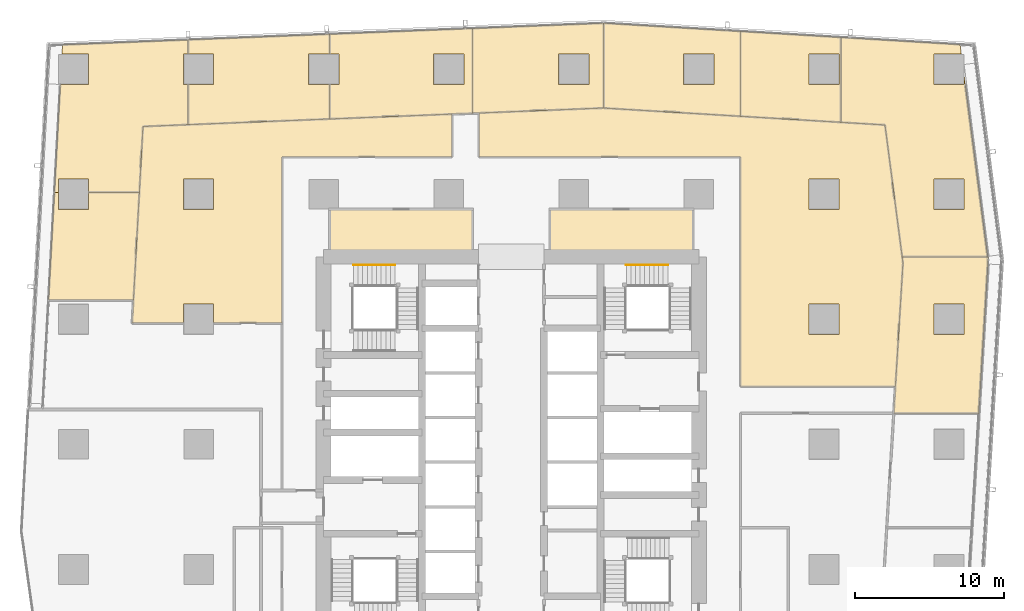
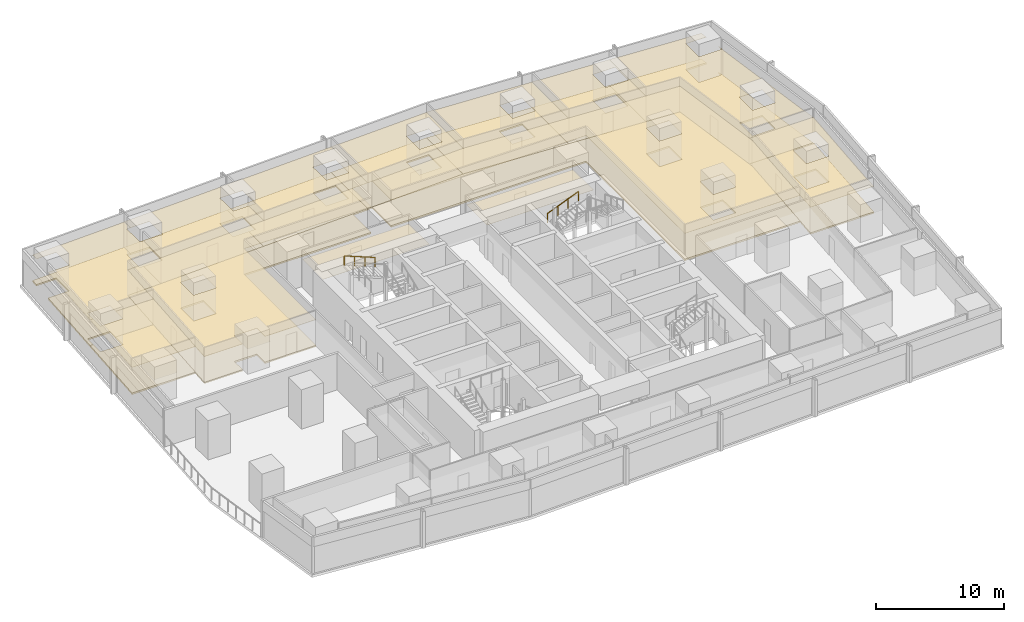
# One storey, part 36 of 36: 24 coverings, 2 railings.
"""IFC4 building model written with IfcOpenShell, lengths in metres."""

from ifc_helpers import new_model, si_unit, direction, frame, origin, origin_2d, place, context, subcontext, project, spatial, polyline, circle, outline, extrude, material, layer, layer_set, type_object, element, save


model = new_model("IFC4")

# Units and contexts
model_context = context("Model", 3, precision=1e-05, world=origin(), true_north=direction((0.0, 1.0)))
body_context = subcontext(model_context, "Body", "Model", "MODEL_VIEW")
ifc_project = project(units=[si_unit("LENGTHUNIT", "METRE"), si_unit("AREAUNIT", "SQUARE_METRE"), si_unit("VOLUMEUNIT", "CUBIC_METRE"), si_unit("PLANEANGLEUNIT", "RADIAN"), si_unit("MASSUNIT", "GRAM", prefix="KILO")], contexts=[model_context])

# Site, building, storey
site_placement = place(None, origin())
site = spatial("IfcSite", under=ifc_project, at=site_placement, CompositionType="ELEMENT")
building_placement = place(site_placement, origin())
building = spatial("IfcBuilding", under=site, at=building_placement, Name="Rekha Terrace Tower", CompositionType="ELEMENT")
storey_placement = place(building_placement, frame((0.0, 0.0, 144.050048828125)))
storey = spatial("IfcBuildingStorey", under=building, at=storey_placement, Name="L36", CompositionType="ELEMENT", Elevation=144.050048828125)

# Coverings
ifc_material_1 = material(Name="Mineral fibre tile in exposed grid", Category="finish")
ifc_layer_1 = layer(ifc_material_1, 0.02001953125)
ifc_layer_set_1 = layer_set([ifc_layer_1], Name="Mineral fibre tile in exposed grid")
covering_type_1 = type_object("IfcCoveringType", Name="CL1 600x1200 office grid ceiling", PredefinedType="CEILING", material=ifc_layer_set_1)
covering_1_placement = place(storey_placement, frame((0.0, 0.0, 2.579833984375)))
element("IfcCovering", 1, at=covering_1_placement, inside=storey, type_object=covering_type_1, Name="Ceiling L36-04", PredefinedType="CEILING", context=body_context, shape_type="SweptSolid", body=[
    extrude(outline(polyline([(64.05908203125, 46.196044921875), (64.113037109375, 45.777099609375), (63.5439453125, 36.490966796875), (63.4951171875, 35.68701171875), (69.2060546875, 35.68701171875), (69.85009765625, 46.196044921875), (64.05908203125, 46.196044921875)]), holes=[polyline([(68.215087890625, 40.985107421875), (66.18505859375, 40.985107421875), (66.18505859375, 43.014892578125), (68.215087890625, 43.014892578125), (68.215087890625, 40.985107421875)])]), origin(), (0.0, 0.0, 1.0), 0.02001953125),
])
covering_2_placement = place(storey_placement, frame((0.0, 0.0, 2.579833984375)))
element("IfcCovering", 2, at=covering_2_placement, inside=storey, type_object=covering_type_1, Name="Ceiling L36-05", PredefinedType="CEILING", context=body_context, shape_type="SweptSolid", body=[
    extrude(outline(polyline([(67.948974609375, 60.462890625), (59.93701171875, 60.944091796875), (59.93701171875, 55.23388671875), (62.905029296875, 55.055908203125), (64.05908203125, 46.197021484375), (69.806884765625, 46.197021484375), (68.235107421875, 58.264892578125), (68.215087890625, 58.262939453125), (68.215087890625, 57.784912109375), (66.18505859375, 57.784912109375), (66.18505859375, 59.81494140625), (68.032958984375, 59.81494140625), (67.948974609375, 60.462890625)]), holes=[polyline([(68.215087890625, 49.385009765625), (66.18505859375, 49.385009765625), (66.18505859375, 51.4150390625), (68.215087890625, 51.4150390625), (68.215087890625, 49.385009765625)])]), origin(), (0.0, 0.0, 1.0), 0.02001953125),
])
covering_3_placement = place(storey_placement, frame((0.0, 0.0, 2.579833984375)))
element("IfcCovering", 3, at=covering_3_placement, inside=storey, type_object=covering_type_1, Name="Ceiling L36-06", PredefinedType="CEILING", context=body_context, shape_type="SweptSolid", body=[
    extrude(outline(polyline([(59.93603515625, 55.23388671875), (59.93603515625, 60.945068359375), (53.197021484375, 61.35009765625), (53.197021484375, 55.638916015625), (59.93603515625, 55.23388671875)]), holes=[polyline([(59.81494140625, 57.784912109375), (57.784912109375, 57.784912109375), (57.784912109375, 59.81494140625), (59.81494140625, 59.81494140625), (59.81494140625, 57.784912109375)])]), origin(), (0.0, 0.0, 1.0), 0.02001953125),
])
covering_4_placement = place(storey_placement, frame((0.0, 0.0, 2.579833984375)))
element("IfcCovering", 4, at=covering_4_placement, inside=storey, type_object=covering_type_1, Name="Ceiling L36-07", PredefinedType="CEILING", context=body_context, shape_type="SweptSolid", body=[
    extrude(outline(polyline([(53.196044921875, 55.638916015625), (53.196044921875, 61.35009765625), (44.00390625, 61.902099609375), (44.00390625, 56.19189453125), (53.196044921875, 55.638916015625)]), holes=[polyline([(51.4150390625, 57.784912109375), (49.385009765625, 57.784912109375), (49.385009765625, 59.81494140625), (51.4150390625, 59.81494140625), (51.4150390625, 57.784912109375)])]), origin(), (0.0, 0.0, 1.0), 0.02001953125),
])
covering_5_placement = place(storey_placement, frame((0.0, 0.0, 2.579833984375)))
element("IfcCovering", 5, at=covering_5_placement, inside=storey, type_object=covering_type_1, Name="Ceiling L36-08", PredefinedType="CEILING", context=body_context, shape_type="SweptSolid", body=[
    extrude(outline(polyline([(44.0029296875, 61.89892578125), (35.199951171875, 61.5458984375), (35.199951171875, 55.841064453125), (44.0029296875, 56.194091796875), (44.0029296875, 61.89892578125)]), holes=[polyline([(43.014892578125, 57.784912109375), (40.985107421875, 57.784912109375), (40.985107421875, 59.81494140625), (43.014892578125, 59.81494140625), (43.014892578125, 57.784912109375)])]), origin(), (0.0, 0.0, 1.0), 0.02001953125),
])
covering_6_placement = place(storey_placement, frame((0.0, 0.0, 2.579833984375)))
element("IfcCovering", 6, at=covering_6_placement, inside=storey, type_object=covering_type_1, Name="Ceiling L36-09", PredefinedType="CEILING", context=body_context, shape_type="SweptSolid", body=[
    extrude(outline(polyline([(25.60107421875, 57.784912109375), (25.60107421875, 55.45703125), (33.825927734375, 55.785888671875), (35.198974609375, 55.841064453125), (35.198974609375, 61.5458984375), (25.60107421875, 61.160888671875), (25.60107421875, 59.81494140625), (26.215087890625, 59.81494140625), (26.215087890625, 57.784912109375), (25.60107421875, 57.784912109375)]), holes=[polyline([(34.614990234375, 57.784912109375), (32.5849609375, 57.784912109375), (32.5849609375, 59.81494140625), (34.614990234375, 59.81494140625), (34.614990234375, 57.784912109375)])]), origin(), (0.0, 0.0, 1.0), 0.02001953125),
])
covering_7_placement = place(storey_placement, frame((0.0, 0.0, 2.579833984375)))
element("IfcCovering", 7, at=covering_7_placement, inside=storey, type_object=covering_type_1, Name="Ceiling L36-O1", PredefinedType="CEILING", context=body_context, shape_type="SweptSolid", body=[
    extrude(outline(polyline([(53.196044921875, 55.638916015625), (44.007080078125, 56.19189453125), (43.98095703125, 56.193115234375), (35.6259765625, 55.85791015625), (35.6259765625, 52.89990234375), (53.199951171875, 52.89990234375), (53.199951171875, 37.489990234375), (63.60595703125, 37.489990234375), (64.113037109375, 45.777099609375), (64.056884765625, 46.212890625), (62.905029296875, 55.055908203125), (59.93603515625, 55.23388671875), (53.196044921875, 55.638916015625)]), holes=[polyline([(59.81494140625, 40.985107421875), (57.784912109375, 40.985107421875), (57.784912109375, 43.014892578125), (59.81494140625, 43.014892578125), (59.81494140625, 40.985107421875)]), polyline([(59.81494140625, 49.385009765625), (57.784912109375, 49.385009765625), (57.784912109375, 51.4150390625), (59.81494140625, 51.4150390625), (59.81494140625, 49.385009765625)])]), origin(), (0.0, 0.0, 1.0), 0.02001953125),
])
covering_8_placement = place(storey_placement, frame((0.0, 0.0, 2.579833984375)))
element("IfcCovering", 8, at=covering_8_placement, inside=storey, type_object=covering_type_1, Name="Ceiling L36-12", PredefinedType="CEILING", context=body_context, shape_type="SweptSolid", body=[
    extrude(outline(polyline([(16.10205078125, 57.784912109375), (16.10205078125, 55.075927734375), (25.59912109375, 55.45703125), (25.59912109375, 57.784912109375), (24.18505859375, 57.784912109375), (24.18505859375, 59.81494140625), (25.59912109375, 59.81494140625), (25.59912109375, 61.160888671875), (16.10205078125, 60.781005859375), (16.10205078125, 59.81494140625), (17.81494140625, 59.81494140625), (17.81494140625, 57.784912109375), (16.10205078125, 57.784912109375)])), origin(), (0.0, 0.0, 1.0), 0.02001953125),
])
covering_9_placement = place(storey_placement, frame((0.0, 0.0, 2.579833984375)))
element("IfcCovering", 9, at=covering_9_placement, inside=storey, type_object=covering_type_1, Name="Ceiling L36-13", PredefinedType="CEILING", context=body_context, shape_type="SweptSolid", body=[
    extrude(outline(polyline([(15.784912109375, 59.81494140625), (16.10107421875, 59.81494140625), (16.10107421875, 60.781005859375), (7.653076171875, 60.44189453125), (7.618896484375, 59.81494140625), (9.4150390625, 59.81494140625), (9.4150390625, 57.784912109375), (7.507080078125, 57.784912109375), (7.110107421875, 50.531005859375), (7.385009765625, 50.531005859375), (7.385009765625, 51.4150390625), (9.4150390625, 51.4150390625), (9.4150390625, 50.531005859375), (12.818115234375, 50.531005859375), (13.06103515625, 54.9541015625), (16.10107421875, 55.075927734375), (16.10107421875, 57.784912109375), (15.784912109375, 57.784912109375), (15.784912109375, 59.81494140625)])), origin(), (0.0, 0.0, 1.0), 0.02001953125),
])
covering_10_placement = place(storey_placement, frame((0.0, 0.0, 2.579833984375)))
element("IfcCovering", 10, at=covering_10_placement, inside=storey, type_object=covering_type_1, Name="Ceiling L36-14", PredefinedType="CEILING", context=body_context, shape_type="SweptSolid", body=[
    extrude(outline(polyline([(6.7119140625, 43.287109375), (12.4208984375, 43.287109375), (12.818115234375, 50.530029296875), (9.4150390625, 50.530029296875), (9.4150390625, 49.385009765625), (7.385009765625, 49.385009765625), (7.385009765625, 50.530029296875), (7.110107421875, 50.530029296875), (6.7119140625, 43.287109375)])), origin(), (0.0, 0.0, 1.0), 0.02001953125),
])
covering_11_placement = place(storey_placement, frame((0.0, 0.0, 2.579833984375)))
element("IfcCovering", 11, at=covering_11_placement, inside=storey, type_object=covering_type_1, Name="Ceiling L36-O2", PredefinedType="CEILING", context=body_context, shape_type="SweptSolid", body=[
    extrude(outline(polyline([(12.818115234375, 50.530029296875), (12.4208984375, 43.285888671875), (12.3359375, 41.743896484375), (15.784912109375, 41.743896484375), (15.784912109375, 43.014892578125), (17.81494140625, 43.014892578125), (17.81494140625, 41.743896484375), (22.39990234375, 41.743896484375), (22.39990234375, 52.89990234375), (33.825927734375, 52.89990234375), (33.825927734375, 55.785888671875), (25.5849609375, 55.4560546875), (16.0859375, 55.074951171875), (13.06103515625, 54.9541015625), (12.818115234375, 50.530029296875)]), holes=[polyline([(17.81494140625, 49.385009765625), (15.784912109375, 49.385009765625), (15.784912109375, 51.4150390625), (17.81494140625, 51.4150390625), (17.81494140625, 49.385009765625)])]), origin(), (0.0, 0.0, 1.0), 0.02001953125),
])
ifc_material_2 = material(Name="Fibre cement board", Category="finish")
ifc_layer_2 = layer(ifc_material_2, 0.014892578125)
ifc_layer_set_2 = layer_set([ifc_layer_2], Name="Fibre cement board")
covering_type_2 = type_object("IfcCoveringType", Name="CL2 moisture-resistant board ceiling", PredefinedType="CEILING", material=ifc_layer_set_2)
covering_12_placement = place(storey_placement, frame((0.0, 0.0, 2.5849609375)))
element("IfcCovering", 12, at=covering_12_placement, inside=storey, type_object=covering_type_2, Name="Ceiling L36-WCF", PredefinedType="CEILING", context=body_context, shape_type="SweptSolid", body=[
    extrude(outline(polyline([(40.985107421875, 49.39990234375), (40.39990234375, 49.39990234375), (40.39990234375, 46.199951171875), (50.0, 46.199951171875), (50.0, 49.385009765625), (49.385009765625, 49.385009765625), (49.385009765625, 49.39990234375), (43.014892578125, 49.39990234375), (43.014892578125, 49.385009765625), (40.985107421875, 49.385009765625), (40.985107421875, 49.39990234375)])), origin(), (0.0, 0.0, 1.0), 0.014892578125),
])
covering_13_placement = place(storey_placement, frame((0.0, 0.0, 2.5849609375)))
element("IfcCovering", 13, at=covering_13_placement, inside=storey, type_object=covering_type_2, Name="Ceiling L36-WCF2", PredefinedType="CEILING", context=body_context, shape_type="SweptSolid", body=[
    extrude(outline(polyline([(26.215087890625, 49.385009765625), (25.60009765625, 49.385009765625), (25.60009765625, 46.199951171875), (35.199951171875, 46.199951171875), (35.199951171875, 49.39990234375), (34.614990234375, 49.39990234375), (34.614990234375, 49.385009765625), (32.5849609375, 49.385009765625), (32.5849609375, 49.39990234375), (26.215087890625, 49.39990234375), (26.215087890625, 49.385009765625)])), origin(), (0.0, 0.0, 1.0), 0.014892578125),
])

# Railings
ifc_material_3 = material(Name="Stainless steel tube", Category="steel")
railing_type = type_object("IfcRailingType", Name="HR1 900 stair handrail", PredefinedType="HANDRAIL", material=ifc_material_3)
railing_1_placement = place(storey_placement, frame((45.52490234375, 45.639892578125, 1.375)))
element("IfcRailing", 14, at=railing_1_placement, inside=storey, type_object=railing_type, Name="Handrail ST2 L36 flight 2", PredefinedType="HANDRAIL", context=body_context, shape_type="SweptSolid", body=[
    extrude(circle(Radius=0.02392578125, at=origin_2d()), frame((0.0, 0.0, 0.8759765625), z_axis=(0.927443287984, 0.0, 0.373963831907), x_axis=(0.0, 1.0, 0.0)), (0.0, 0.0, 1.0), 3.00830078125),
    extrude(circle(Radius=0.02099609375, at=origin_2d()), origin(), (0.0, 0.0, 1.0), 0.851806640625),
    extrude(circle(Radius=0.02099609375, at=origin_2d()), frame((0.929931640625, 0.0, 0.375)), (0.0, 0.0, 1.0), 0.851806640625),
    extrude(circle(Radius=0.02099609375, at=origin_2d()), frame((1.860107421875, 0.0, 0.75)), (0.0, 0.0, 1.0), 0.851806640625),
    extrude(circle(Radius=0.02099609375, at=origin_2d()), frame((2.7900390625, 0.0, 1.125)), (0.0, 0.0, 1.0), 0.851806640625),
])
railing_2_placement = place(storey_placement, frame((29.989990234375, 45.639892578125, 2.625)))
element("IfcRailing", 15, at=railing_2_placement, inside=storey, type_object=railing_type, Name="Handrail ST4 L36 flight 3", PredefinedType="HANDRAIL", context=body_context, shape_type="SweptSolid", body=[
    extrude(circle(Radius=0.02392578125, at=origin_2d()), frame((0.0, 0.0, 0.8759765625), z_axis=(-0.927443287984, 0.0, 0.373963831907), x_axis=(0.0, -1.0, 0.0)), (0.0, 0.0, 1.0), 3.00830078125),
    extrude(circle(Radius=0.02099609375, at=origin_2d()), origin(), (0.0, 0.0, 1.0), 0.851806640625),
    extrude(circle(Radius=0.02099609375, at=origin_2d()), frame((-0.929931640625, 0.0, 0.375)), (0.0, 0.0, 1.0), 0.851806640625),
    extrude(circle(Radius=0.02099609375, at=origin_2d()), frame((-1.860107421875, 0.0, 0.75)), (0.0, 0.0, 1.0), 0.851806640625),
    extrude(circle(Radius=0.02099609375, at=origin_2d()), frame((-2.7900390625, 0.0, 1.125)), (0.0, 0.0, 1.0), 0.851806640625),
])

# Coverings
ifc_material_4 = material(Name="Calcium sulphate panels on steel pedestals", Category="steel")
ifc_layer_3 = layer(ifc_material_4, 0.14990234375)
ifc_layer_set_3 = layer_set([ifc_layer_3], Name="Calcium sulphate panels on steel pedestals")
covering_type_3 = type_object("IfcCoveringType", Name="RF1 150 raised access floor", PredefinedType="FLOORING", material=ifc_layer_set_3)
covering_14_placement = place(storey_placement, origin())
element("IfcCovering", 16, at=covering_14_placement, inside=storey, type_object=covering_type_3, Name="Raised floor L36-04", PredefinedType="FLOORING", context=body_context, shape_type="SweptSolid", body=[
    extrude(outline(polyline([(64.05908203125, 46.196044921875), (64.113037109375, 45.777099609375), (63.5439453125, 36.490966796875), (63.4951171875, 35.68701171875), (69.2060546875, 35.68701171875), (69.85009765625, 46.196044921875), (64.05908203125, 46.196044921875)]), holes=[polyline([(68.215087890625, 40.985107421875), (66.18505859375, 40.985107421875), (66.18505859375, 43.014892578125), (68.215087890625, 43.014892578125), (68.215087890625, 40.985107421875)])]), origin(), (0.0, 0.0, 1.0), 0.14990234375),
])
covering_15_placement = place(storey_placement, origin())
element("IfcCovering", 17, at=covering_15_placement, inside=storey, type_object=covering_type_3, Name="Raised floor L36-05", PredefinedType="FLOORING", context=body_context, shape_type="SweptSolid", body=[
    extrude(outline(polyline([(67.948974609375, 60.462890625), (59.93701171875, 60.944091796875), (59.93701171875, 55.23388671875), (62.905029296875, 55.055908203125), (64.05908203125, 46.197021484375), (69.806884765625, 46.197021484375), (68.235107421875, 58.264892578125), (68.215087890625, 58.262939453125), (68.215087890625, 57.784912109375), (66.18505859375, 57.784912109375), (66.18505859375, 59.81494140625), (68.032958984375, 59.81494140625), (67.948974609375, 60.462890625)]), holes=[polyline([(68.215087890625, 49.385009765625), (66.18505859375, 49.385009765625), (66.18505859375, 51.4150390625), (68.215087890625, 51.4150390625), (68.215087890625, 49.385009765625)])]), origin(), (0.0, 0.0, 1.0), 0.14990234375),
])
covering_16_placement = place(storey_placement, origin())
element("IfcCovering", 18, at=covering_16_placement, inside=storey, type_object=covering_type_3, Name="Raised floor L36-06", PredefinedType="FLOORING", context=body_context, shape_type="SweptSolid", body=[
    extrude(outline(polyline([(59.93603515625, 55.23388671875), (59.93603515625, 60.945068359375), (53.197021484375, 61.35009765625), (53.197021484375, 55.638916015625), (59.93603515625, 55.23388671875)]), holes=[polyline([(59.81494140625, 57.784912109375), (57.784912109375, 57.784912109375), (57.784912109375, 59.81494140625), (59.81494140625, 59.81494140625), (59.81494140625, 57.784912109375)])]), origin(), (0.0, 0.0, 1.0), 0.14990234375),
])
covering_17_placement = place(storey_placement, origin())
element("IfcCovering", 19, at=covering_17_placement, inside=storey, type_object=covering_type_3, Name="Raised floor L36-07", PredefinedType="FLOORING", context=body_context, shape_type="SweptSolid", body=[
    extrude(outline(polyline([(53.196044921875, 55.638916015625), (53.196044921875, 61.35009765625), (44.00390625, 61.902099609375), (44.00390625, 56.19189453125), (53.196044921875, 55.638916015625)]), holes=[polyline([(51.4150390625, 57.784912109375), (49.385009765625, 57.784912109375), (49.385009765625, 59.81494140625), (51.4150390625, 59.81494140625), (51.4150390625, 57.784912109375)])]), origin(), (0.0, 0.0, 1.0), 0.14990234375),
])
covering_18_placement = place(storey_placement, origin())
element("IfcCovering", 20, at=covering_18_placement, inside=storey, type_object=covering_type_3, Name="Raised floor L36-08", PredefinedType="FLOORING", context=body_context, shape_type="SweptSolid", body=[
    extrude(outline(polyline([(44.0029296875, 61.89892578125), (35.199951171875, 61.5458984375), (35.199951171875, 55.841064453125), (44.0029296875, 56.194091796875), (44.0029296875, 61.89892578125)]), holes=[polyline([(43.014892578125, 57.784912109375), (40.985107421875, 57.784912109375), (40.985107421875, 59.81494140625), (43.014892578125, 59.81494140625), (43.014892578125, 57.784912109375)])]), origin(), (0.0, 0.0, 1.0), 0.14990234375),
])
covering_19_placement = place(storey_placement, origin())
element("IfcCovering", 21, at=covering_19_placement, inside=storey, type_object=covering_type_3, Name="Raised floor L36-09", PredefinedType="FLOORING", context=body_context, shape_type="SweptSolid", body=[
    extrude(outline(polyline([(25.60107421875, 57.784912109375), (25.60107421875, 55.45703125), (33.825927734375, 55.785888671875), (35.198974609375, 55.841064453125), (35.198974609375, 61.5458984375), (25.60107421875, 61.160888671875), (25.60107421875, 59.81494140625), (26.215087890625, 59.81494140625), (26.215087890625, 57.784912109375), (25.60107421875, 57.784912109375)]), holes=[polyline([(34.614990234375, 57.784912109375), (32.5849609375, 57.784912109375), (32.5849609375, 59.81494140625), (34.614990234375, 59.81494140625), (34.614990234375, 57.784912109375)])]), origin(), (0.0, 0.0, 1.0), 0.14990234375),
])
covering_20_placement = place(storey_placement, origin())
element("IfcCovering", 22, at=covering_20_placement, inside=storey, type_object=covering_type_3, Name="Raised floor L36-O1", PredefinedType="FLOORING", context=body_context, shape_type="SweptSolid", body=[
    extrude(outline(polyline([(53.196044921875, 55.638916015625), (44.007080078125, 56.19189453125), (43.98095703125, 56.193115234375), (35.6259765625, 55.85791015625), (35.6259765625, 52.89990234375), (53.199951171875, 52.89990234375), (53.199951171875, 37.489990234375), (63.60595703125, 37.489990234375), (64.113037109375, 45.777099609375), (64.056884765625, 46.212890625), (62.905029296875, 55.055908203125), (59.93603515625, 55.23388671875), (53.196044921875, 55.638916015625)]), holes=[polyline([(59.81494140625, 40.985107421875), (57.784912109375, 40.985107421875), (57.784912109375, 43.014892578125), (59.81494140625, 43.014892578125), (59.81494140625, 40.985107421875)]), polyline([(59.81494140625, 49.385009765625), (57.784912109375, 49.385009765625), (57.784912109375, 51.4150390625), (59.81494140625, 51.4150390625), (59.81494140625, 49.385009765625)])]), origin(), (0.0, 0.0, 1.0), 0.14990234375),
])
covering_21_placement = place(storey_placement, origin())
element("IfcCovering", 23, at=covering_21_placement, inside=storey, type_object=covering_type_3, Name="Raised floor L36-12", PredefinedType="FLOORING", context=body_context, shape_type="SweptSolid", body=[
    extrude(outline(polyline([(16.10205078125, 57.784912109375), (16.10205078125, 55.075927734375), (25.59912109375, 55.45703125), (25.59912109375, 57.784912109375), (24.18505859375, 57.784912109375), (24.18505859375, 59.81494140625), (25.59912109375, 59.81494140625), (25.59912109375, 61.160888671875), (16.10205078125, 60.781005859375), (16.10205078125, 59.81494140625), (17.81494140625, 59.81494140625), (17.81494140625, 57.784912109375), (16.10205078125, 57.784912109375)])), origin(), (0.0, 0.0, 1.0), 0.14990234375),
])
covering_22_placement = place(storey_placement, origin())
element("IfcCovering", 24, at=covering_22_placement, inside=storey, type_object=covering_type_3, Name="Raised floor L36-13", PredefinedType="FLOORING", context=body_context, shape_type="SweptSolid", body=[
    extrude(outline(polyline([(15.784912109375, 59.81494140625), (16.10107421875, 59.81494140625), (16.10107421875, 60.781005859375), (7.653076171875, 60.44189453125), (7.618896484375, 59.81494140625), (9.4150390625, 59.81494140625), (9.4150390625, 57.784912109375), (7.507080078125, 57.784912109375), (7.110107421875, 50.531005859375), (7.385009765625, 50.531005859375), (7.385009765625, 51.4150390625), (9.4150390625, 51.4150390625), (9.4150390625, 50.531005859375), (12.818115234375, 50.531005859375), (13.06103515625, 54.9541015625), (16.10107421875, 55.075927734375), (16.10107421875, 57.784912109375), (15.784912109375, 57.784912109375), (15.784912109375, 59.81494140625)])), origin(), (0.0, 0.0, 1.0), 0.14990234375),
])
covering_23_placement = place(storey_placement, origin())
element("IfcCovering", 25, at=covering_23_placement, inside=storey, type_object=covering_type_3, Name="Raised floor L36-14", PredefinedType="FLOORING", context=body_context, shape_type="SweptSolid", body=[
    extrude(outline(polyline([(6.7119140625, 43.287109375), (12.4208984375, 43.287109375), (12.818115234375, 50.530029296875), (9.4150390625, 50.530029296875), (9.4150390625, 49.385009765625), (7.385009765625, 49.385009765625), (7.385009765625, 50.530029296875), (7.110107421875, 50.530029296875), (6.7119140625, 43.287109375)])), origin(), (0.0, 0.0, 1.0), 0.14990234375),
])
covering_24_placement = place(storey_placement, origin())
element("IfcCovering", 26, at=covering_24_placement, inside=storey, type_object=covering_type_3, Name="Raised floor L36-O2", PredefinedType="FLOORING", context=body_context, shape_type="SweptSolid", body=[
    extrude(outline(polyline([(12.818115234375, 50.530029296875), (12.4208984375, 43.285888671875), (12.3359375, 41.743896484375), (15.784912109375, 41.743896484375), (15.784912109375, 43.014892578125), (17.81494140625, 43.014892578125), (17.81494140625, 41.743896484375), (22.39990234375, 41.743896484375), (22.39990234375, 52.89990234375), (33.825927734375, 52.89990234375), (33.825927734375, 55.785888671875), (25.5849609375, 55.4560546875), (16.0859375, 55.074951171875), (13.06103515625, 54.9541015625), (12.818115234375, 50.530029296875)]), holes=[polyline([(17.81494140625, 49.385009765625), (15.784912109375, 49.385009765625), (15.784912109375, 51.4150390625), (17.81494140625, 51.4150390625), (17.81494140625, 49.385009765625)])]), origin(), (0.0, 0.0, 1.0), 0.14990234375),
])

save(model, "model.ifc")
